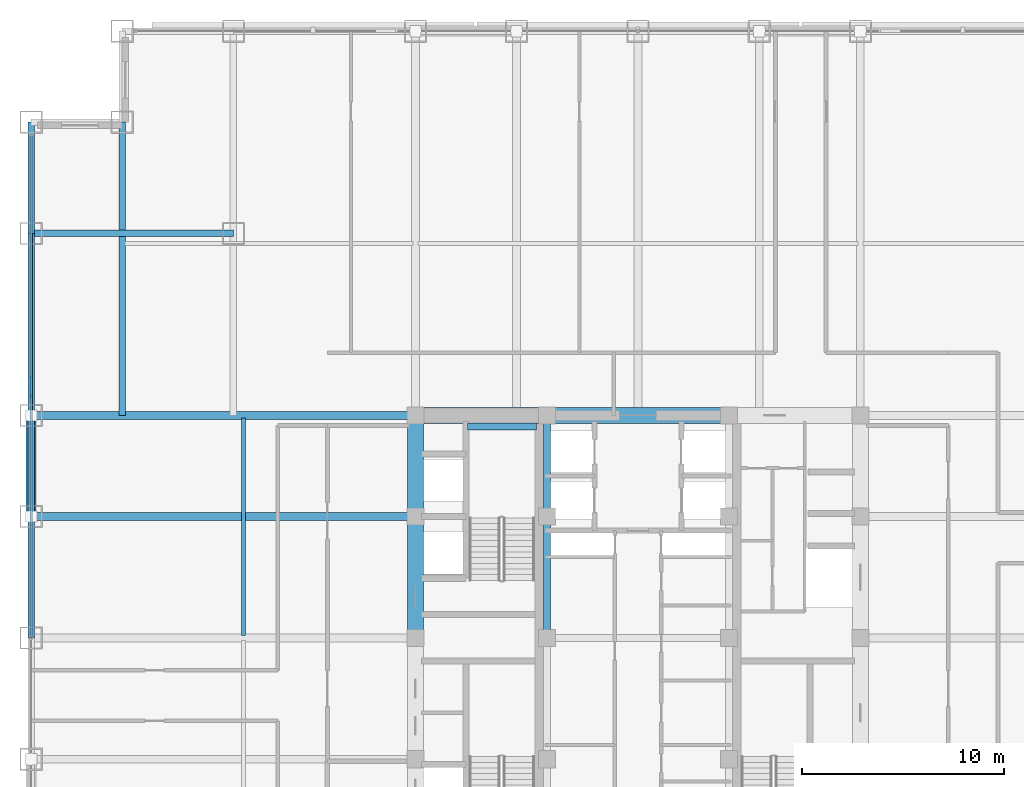
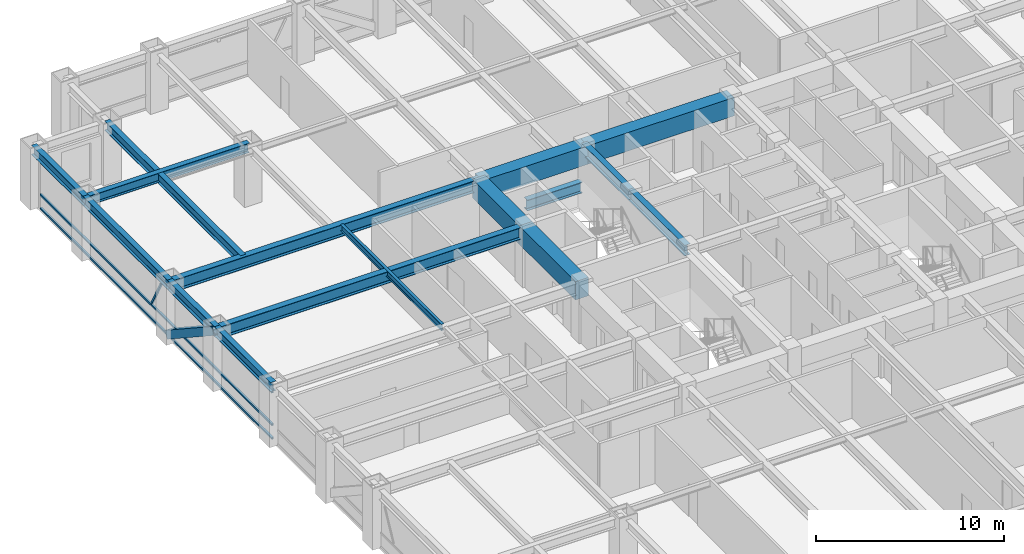
# One storey, part 11 of 28: 16 beams, 5 members, 1 element without a shape of its own.
"""IFC4 building model written with IfcOpenShell, lengths in metres."""

import ifcopenshell
import ifcopenshell.guid

model = None  # the IFC model being written
_history = None  # IfcOwnerHistory: only IFC2X3 demands one
_inside = {}  # id of a spatial element -> (the spatial element, [elements in it])
_under = {}  # id of a project, library or spatial element -> (it, [spatial elements below it])
_declared = {}  # id of a project -> (the project, [libraries it declares])
_typed = {}  # id of a type object -> (the type object, [elements of that type])
_made_of = {}  # id of a material, layer set ... -> (it, [elements and type objects made of it])


def new_model(schema):
    """Start an empty IFC model of exactly this schema.

    Asked for "IFC4X3", IfcOpenShell would pick the latest addendum, in which some entities
    have other attributes; the version numbers below select the first issue.
    IFC2X3 requires an IfcOwnerHistory on every rooted entity: one is made here for all.
    """
    global model, _history
    if schema == "IFC4X3":
        model = ifcopenshell.file(schema_version=(4, 3, 0, 0))
    else:
        model = ifcopenshell.file(schema=schema)
    _inside.clear()
    _under.clear()
    _declared.clear()
    _typed.clear()
    _made_of.clear()
    _history = None
    if model.schema == "IFC2X3":
        org = make("IfcOrganization", Name="unknown")
        user = make(
            "IfcPersonAndOrganization",
            ThePerson=make("IfcPerson", FamilyName="unknown"),
            TheOrganization=org,
        )
        app = make(
            "IfcApplication",
            ApplicationDeveloper=org,
            Version="unknown",
            ApplicationFullName="unknown",
            ApplicationIdentifier="unknown",
        )
        _history = make(
            "IfcOwnerHistory",
            OwningUser=user,
            OwningApplication=app,
            ChangeAction="ADDED",
            CreationDate=0,
        )
    return model


def make(cls, **values):
    """One entity of the class cls with the attributes given. An attribute that is None is left unset."""
    return model.create_entity(
        cls, **{name: value for name, value in values.items() if value is not None}
    )


def rooted(cls, **values):
    """An entity with a GlobalId (a new one), such as an element, a storey or a relation."""
    return make(cls, GlobalId=ifcopenshell.guid.new(), OwnerHistory=_history, **values)


def si_unit(unit_type, name, prefix=None):
    """IfcSIUnit, for example si_unit("LENGTHUNIT", "METRE", prefix="MILLI")."""
    return make("IfcSIUnit", UnitType=unit_type, Prefix=prefix, Name=name)


def assignment(units):
    """IfcUnitAssignment: the units of a project."""
    return None if units is None else make("IfcUnitAssignment", Units=units)


def point(xyz):
    """IfcCartesianPoint."""
    return None if xyz is None else make("IfcCartesianPoint", Coordinates=xyz)


def direction(xyz):
    """IfcDirection."""
    return None if xyz is None else make("IfcDirection", DirectionRatios=xyz)


def frame(location, z_axis=None, x_axis=None):
    """IfcAxis2Placement3D, a coordinate frame: its origin and axes. An axis left out is left unset."""
    return make(
        "IfcAxis2Placement3D",
        Location=point(location),
        Axis=direction(z_axis),
        RefDirection=direction(x_axis),
    )


def frame_2d(location, x_axis=None):
    """IfcAxis2Placement2D, a coordinate frame in the plane: its origin and x axis."""
    return make(
        "IfcAxis2Placement2D", Location=point(location), RefDirection=direction(x_axis)
    )


def origin():
    """The frame at (0, 0, 0) with its axes left unset."""
    return frame((0.0, 0.0, 0.0))


def origin_2d():
    """The frame at (0, 0) in the plane with its x axis left unset."""
    return frame_2d((0.0, 0.0))


def place(relative_to, where):
    """IfcLocalPlacement: puts the frame where relative to a parent placement (None: the world)."""
    return make(
        "IfcLocalPlacement", PlacementRelTo=relative_to, RelativePlacement=where
    )


def context(
    kind, dimensions, precision=None, world=None, true_north=None, identifier=None
):
    """IfcGeometricRepresentationContext, for example the 3D "Model" context."""
    return make(
        "IfcGeometricRepresentationContext",
        ContextIdentifier=identifier,
        ContextType=kind,
        CoordinateSpaceDimension=dimensions,
        Precision=precision,
        WorldCoordinateSystem=world,
        TrueNorth=true_north,
    )


def subcontext(parent, identifier, kind, view, scale=None):
    """IfcGeometricRepresentationSubContext, for example "Body" below "Model"."""
    return make(
        "IfcGeometricRepresentationSubContext",
        ContextIdentifier=identifier,
        ContextType=kind,
        ParentContext=parent,
        TargetScale=scale,
        TargetView=view,
    )


def project(units=None, contexts=None):
    """IfcProject with its units and contexts."""
    return rooted(
        "IfcProject",
        Name="project",
        RepresentationContexts=contexts,
        UnitsInContext=assignment(units),
    )


def spatial(cls, under=None, at=None, **own):
    """A site, building, storey or space (cls), placed at a placement, below another one or the project."""
    s = rooted(cls, ObjectPlacement=at, **own)
    if under is not None:
        _under.setdefault(under.id(), (under, []))[1].append(s)
    return s


def profile(cls, at=None, kind="AREA", **sizes):
    """A parametric profile (cls). Its sizes go by their IFC names, for example OverallWidth=200.0."""
    return make(cls, ProfileType=kind, Position=at, **sizes)


def rectangle(**sizes):
    """IfcRectangleProfileDef."""
    return profile("IfcRectangleProfileDef", **sizes)


def hollow_rectangle(**sizes):
    """IfcRectangleHollowProfileDef."""
    return profile("IfcRectangleHollowProfileDef", **sizes)


def i_section(**sizes):
    """IfcIShapeProfileDef."""
    return profile("IfcIShapeProfileDef", **sizes)


def extrude(swept, where, along, depth):
    """IfcExtrudedAreaSolid: the profile swept, set in the frame where, extruded along a direction by depth."""
    return make(
        "IfcExtrudedAreaSolid",
        SweptArea=swept,
        Position=where,
        ExtrudedDirection=direction(along),
        Depth=depth,
    )


def shape(context_of_items, identifier, shape_type, items):
    """IfcShapeRepresentation: the items that make up one representation, for example the "Body"."""
    return make(
        "IfcShapeRepresentation",
        ContextOfItems=context_of_items,
        RepresentationIdentifier=identifier,
        RepresentationType=shape_type,
        Items=items,
    )


def source(mapping_origin, context_of_items, identifier, shape_type, items):
    """IfcRepresentationMap: a shape defined once, which mapped items show again and again."""
    return make(
        "IfcRepresentationMap",
        MappingOrigin=mapping_origin,
        MappedRepresentation=shape(context_of_items, identifier, shape_type, items),
    )


def transform(
    local_origin,
    x_axis=None,
    y_axis=None,
    z_axis=None,
    scale=None,
    scale2=None,
    scale3=None,
    uniform=True,
):
    """IfcCartesianTransformationOperator3D, or its non-uniform kind. x_axis, y_axis, z_axis: its Axis1, 2, 3."""
    if uniform:
        return make(
            "IfcCartesianTransformationOperator3D",
            Axis1=direction(x_axis),
            Axis2=direction(y_axis),
            LocalOrigin=point(local_origin),
            Scale=scale,
            Axis3=direction(z_axis),
        )
    return make(
        "IfcCartesianTransformationOperator3DnonUniform",
        Axis1=direction(x_axis),
        Axis2=direction(y_axis),
        LocalOrigin=point(local_origin),
        Scale=scale,
        Axis3=direction(z_axis),
        Scale2=scale2,
        Scale3=scale3,
    )


def mapped(mapping_source, mapping_target):
    """IfcMappedItem: shows the shape of a source again, moved by a transform."""
    return make(
        "IfcMappedItem", MappingSource=mapping_source, MappingTarget=mapping_target
    )


def material(Name=None, Category=None):
    """IfcMaterial."""
    return make("IfcMaterial", Name=Name, Category=Category)


def material_profile(
    of_material, cross_section, Name=None, Category=None, Priority=None
):
    """IfcMaterialProfile: a cross section and its material."""
    return make(
        "IfcMaterialProfile",
        Name=Name,
        Material=of_material,
        Profile=cross_section,
        Priority=Priority,
        Category=Category,
    )


def profile_set(profiles, Name=None, composite=None):
    """IfcMaterialProfileSet."""
    return make(
        "IfcMaterialProfileSet",
        Name=Name,
        MaterialProfiles=profiles,
        CompositeProfile=composite,
    )


def made_of(thing, what):
    """Note that an element or type object is made of a material, layer set ...; save() writes the relation."""
    if what is not None:
        _made_of.setdefault(what.id(), (what, []))[1].append(thing)
    return thing


def type_object(cls, material=None, **own):
    """A type object (cls), such as IfcWallType, which elements share."""
    return made_of(rooted(cls, **own), material)


def element(
    cls,
    number,
    at=None,
    inside=None,
    cuts=None,
    type_object=None,
    material=None,
    context=None,
    identifier="Body",
    shape_type=None,
    held_by="IfcProductDefinitionShape",
    body=None,
    shapes=None,
    **own,
):
    """One element of the class cls, such as IfcWall. Its Tag is "e" and its number.

    at: its placement. inside: the storey or other place that contains it. cuts: it is an
    opening in that element (IfcRelVoidsElement). A single representation is given by context,
    identifier, shape_type and body (its items); several are given by shapes. held_by: the class
    of the entity that holds the representations. save() writes the other relations.
    """
    e = rooted(cls, Tag="e%d" % number, ObjectPlacement=at, **own)
    if body is not None:
        shapes = [shape(context, identifier, shape_type, body)]
    if shapes is not None:
        e.Representation = make(held_by, Representations=shapes)
    if inside is not None:
        _inside.setdefault(inside.id(), (inside, []))[1].append(e)
    if cuts is not None:
        rooted(
            "IfcRelVoidsElement", RelatingBuildingElement=cuts, RelatedOpeningElement=e
        )
    if type_object is not None:
        _typed.setdefault(type_object.id(), (type_object, []))[1].append(e)
    return made_of(e, material)


def aggregate(whole, parts):
    """IfcRelAggregates: a whole, such as a stair, and the parts it consists of."""
    return rooted("IfcRelAggregates", RelatingObject=whole, RelatedObjects=parts)


def save(model, path):
    """Write the relations noted so far, then the file.

    IfcRelAggregates (storeys below a building ...), IfcRelContainedInSpatialStructure (elements
    in a storey), IfcRelDefinesByType, IfcRelAssociatesMaterial and IfcRelDeclares: one each for
    every whole, place, type object, material and project.
    """
    for whole, parts in _under.values():
        aggregate(whole, parts)
    for where, things in _inside.values():
        rooted(
            "IfcRelContainedInSpatialStructure",
            RelatedElements=things,
            RelatingStructure=where,
        )
    for kind, things in _typed.values():
        rooted("IfcRelDefinesByType", RelatedObjects=things, RelatingType=kind)
    for what, things in _made_of.values():
        rooted("IfcRelAssociatesMaterial", RelatedObjects=things, RelatingMaterial=what)
    for by, libraries in _declared.values():
        rooted("IfcRelDeclares", RelatingContext=by, RelatedDefinitions=libraries)
    model.write(path)


model = new_model("IFC4")

# Units and contexts
model_context = context("Model", 3, precision=1e-05, world=origin(), true_north=direction((0.0, 1.0)))
body_context = subcontext(model_context, "Body", "Model", "MODEL_VIEW")
ifc_project = project(units=[si_unit("LENGTHUNIT", "METRE"), si_unit("AREAUNIT", "SQUARE_METRE"), si_unit("VOLUMEUNIT", "CUBIC_METRE"), si_unit("PLANEANGLEUNIT", "RADIAN"), si_unit("MASSUNIT", "GRAM", prefix="KILO")], contexts=[model_context])

# Site, building, storey
site_placement = place(None, origin())
site = spatial("IfcSite", under=ifc_project, at=site_placement, CompositionType="ELEMENT")
building_placement = place(site_placement, origin())
building = spatial("IfcBuilding", under=site, at=building_placement, Name="Khorayat Bourse Tower", CompositionType="ELEMENT")
storey_placement = place(building_placement, frame((0.0, 0.0, 183.10009765625)))
storey = spatial("IfcBuildingStorey", under=building, at=storey_placement, Name="L42", CompositionType="ELEMENT", Elevation=183.10009765625)

# Beams
ifc_material_1 = material(Name="Concrete C72/90", Category="concrete")
ifc_material_profile_1 = material_profile(ifc_material_1, rectangle(XDim=0.800048828125, YDim=1.199951171875, at=origin_2d()), Name="RC 800x1200")
ifc_profile_set_1 = profile_set([ifc_material_profile_1], Name="Concrete C72/90")
beam_type_1 = type_object("IfcBeamType", Name="BM-COUP-1200", PredefinedType="BEAM", material=ifc_profile_set_1)
shared_shape_1 = source(origin(), body_context, "Body", "SweptSolid", [
    extrude(rectangle(XDim=0.800048828125, YDim=1.199951171875, at=origin_2d()), origin(), (0.0, 0.0, 1.0), 5.0),
])
beam_1_placement = place(storey_placement, frame((-11.0, 6.0, 3.179931640625), z_axis=(0.0, 1.0, 0.0), x_axis=(-1.0, 0.0, 0.0)))
element("IfcBeam", 1, at=beam_1_placement, inside=storey, type_object=beam_type_1, Name="L42 BM-COUP-1200 BM-L42-CRX-04", PredefinedType="BEAM", context=body_context, shape_type="MappedRepresentation", body=[
    mapped(shared_shape_1, transform((0.0, 0.0, 0.0), scale=1.0)),
])
shared_shape_2 = source(origin(), body_context, "Body", "SweptSolid", [
    extrude(rectangle(XDim=0.800048828125, YDim=1.199951171875, at=origin_2d()), origin(), (0.0, 0.0, 1.0), 6.0),
])
beam_2_placement = place(storey_placement, frame((-11.0, 0.0, 3.179931640625), z_axis=(0.0, 1.0, 0.0), x_axis=(-1.0, 0.0, 0.0)))
element("IfcBeam", 2, at=beam_2_placement, inside=storey, type_object=beam_type_1, Name="L42 BM-COUP-1200 BM-L42-CRX-03", PredefinedType="BEAM", context=body_context, shape_type="MappedRepresentation", body=[
    mapped(shared_shape_2, transform((0.0, 0.0, 0.0), scale=1.0)),
])
ifc_material_2 = material(Name="Steel ASTM A992 Grade 50", Category="steel")
ifc_material_profile_2 = material_profile(ifc_material_2, i_section(OverallWidth=0.35498046875, OverallDepth=0.695068359375, WebThickness=0.015380859375, FlangeThickness=0.02490234375, FilletRadius=0.01806640625, at=origin_2d()), Name="W690X217")
ifc_profile_set_2 = profile_set([ifc_material_profile_2], Name="Steel ASTM A992 Grade 50")
beam_type_2 = type_object("IfcBeamType", Name="BM-GIRD-690", PredefinedType="BEAM", material=ifc_profile_set_2)
shared_shape_3 = source(origin(), body_context, "Body", "SweptSolid", [
    extrude(i_section(OverallWidth=0.35498046875, OverallDepth=0.695068359375, WebThickness=0.015380859375, FlangeThickness=0.02490234375, FilletRadius=0.01806640625, at=origin_2d()), origin(), (0.0, 0.0, 1.0), 5.0),
])
beam_3_placement = place(storey_placement, frame((-4.5, 6.0, 3.432373046875), z_axis=(0.0, 1.0, 0.0), x_axis=(-1.0, 0.0, 0.0)))
element("IfcBeam", 3, at=beam_3_placement, inside=storey, type_object=beam_type_2, Name="L42 BM-GIRD-690 BM-L42-CRX-08", PredefinedType="BEAM", context=body_context, shape_type="MappedRepresentation", body=[
    mapped(shared_shape_3, transform((0.0, 0.0, 0.0), scale=1.0)),
])
shared_shape_4 = source(origin(), body_context, "Body", "SweptSolid", [
    extrude(i_section(OverallWidth=0.35498046875, OverallDepth=0.695068359375, WebThickness=0.015380859375, FlangeThickness=0.02490234375, FilletRadius=0.01806640625, at=origin_2d()), origin(), (0.0, 0.0, 1.0), 6.0),
])
beam_4_placement = place(storey_placement, frame((-4.5, 0.0, 3.432373046875), z_axis=(0.0, 1.0, 0.0), x_axis=(-1.0, 0.0, 0.0)))
element("IfcBeam", 4, at=beam_4_placement, inside=storey, type_object=beam_type_2, Name="L42 BM-GIRD-690 BM-L42-CRX-07", PredefinedType="BEAM", context=body_context, shape_type="MappedRepresentation", body=[
    mapped(shared_shape_4, transform((0.0, 0.0, 0.0), scale=1.0)),
])
shared_shape_5 = source(origin(), body_context, "Body", "SweptSolid", [
    extrude(rectangle(XDim=0.800048828125, YDim=1.199951171875, at=origin_2d()), origin(), (0.0, 0.0, 1.0), 6.5),
])
beam_5_placement = place(storey_placement, frame((-11.0, 11.0, 3.179931640625), z_axis=(1.0, 0.0, 0.0), x_axis=(0.0, 1.0, 0.0)))
element("IfcBeam", 5, at=beam_5_placement, inside=storey, type_object=beam_type_1, Name="L42 BM-COUP-1200 BM-L42-CRY-20", PredefinedType="BEAM", context=body_context, shape_type="MappedRepresentation", body=[
    mapped(shared_shape_5, transform((0.0, 0.0, 0.0), scale=1.0)),
])
shared_shape_6 = source(origin(), body_context, "Body", "SweptSolid", [
    extrude(rectangle(XDim=0.800048828125, YDim=1.199951171875, at=origin_2d()), origin(), (0.0, 0.0, 1.0), 9.0),
])
beam_6_placement = place(storey_placement, frame((-4.5, 11.0, 3.179931640625), z_axis=(1.0, 0.0, 0.0), x_axis=(0.0, 1.0, 0.0)))
element("IfcBeam", 6, at=beam_6_placement, inside=storey, type_object=beam_type_1, Name="L42 BM-COUP-1200 BM-L42-CRY-21", PredefinedType="BEAM", context=body_context, shape_type="MappedRepresentation", body=[
    mapped(shared_shape_6, transform((0.0, 0.0, 0.0), scale=1.0)),
])
shared_shape_7 = source(origin(), body_context, "Body", "SweptSolid", [
    extrude(i_section(OverallWidth=0.35498046875, OverallDepth=0.695068359375, WebThickness=0.015380859375, FlangeThickness=0.02490234375, FilletRadius=0.01806640625, at=origin_2d()), origin(), (0.0, 0.0, 1.0), 3.39990234375),
])
beam_7_placement = place(storey_placement, frame((-8.419921875, 10.449951171875, 1.452392578125), z_axis=(1.0, 0.0, 0.0), x_axis=(0.0, 1.0, 0.0)))
element("IfcBeam", 7, at=beam_7_placement, inside=storey, type_object=beam_type_2, Name="L42 BM-GIRD-690 BM-L42-ST2L", PredefinedType="BEAM", context=body_context, shape_type="MappedRepresentation", body=[
    mapped(shared_shape_7, transform((0.0, 0.0, 0.0), scale=1.0)),
])
ifc_material_profile_3 = material_profile(ifc_material_2, i_section(OverallWidth=0.381103515625, OverallDepth=0.77294921875, WebThickness=0.0166015625, FlangeThickness=0.027587890625, FilletRadius=0.01806640625, at=origin_2d()), Name="W760X257")
ifc_profile_set_3 = profile_set([ifc_material_profile_3], Name="Steel ASTM A992 Grade 50")
beam_type_3 = type_object("IfcBeamType", Name="BM-GIRD-760", PredefinedType="BEAM", material=ifc_profile_set_3)
shared_shape_8 = source(origin(), body_context, "Body", "SweptSolid", [
    extrude(i_section(OverallWidth=0.381103515625, OverallDepth=0.77294921875, WebThickness=0.0166015625, FlangeThickness=0.027587890625, FilletRadius=0.01806640625, at=origin_2d()), origin(), (0.0, 0.0, 1.0), 19.0),
])
for number, where, z_axis, x_axis, name in (
    (8, (-30.0, 6.0, 3.393310546875), (1.0, 0.0, 0.0), (0.0, 1.0, 0.0), "L42 BM-GIRD-760 BM-L42-RADX-081"),
    (9, (-30.0, 11.0, 3.393310546875), (1.0, 0.0, 0.0), (0.0, 1.0, 0.0), "L42 BM-GIRD-760 BM-L42-RADX-083"),
):
    element("IfcBeam", number, at=place(storey_placement, frame(where, z_axis=z_axis, x_axis=x_axis)), inside=storey, type_object=beam_type_3, Name=name, PredefinedType="BEAM", context=body_context, shape_type="MappedRepresentation", body=[
        mapped(shared_shape_8, transform((0.0, 0.0, 0.0), scale=1.0)),
    ])
ifc_material_profile_4 = material_profile(ifc_material_2, i_section(OverallWidth=0.324951171875, OverallDepth=0.615966796875, WebThickness=0.013916015625, FlangeThickness=0.021484375, FilletRadius=0.01611328125, at=origin_2d()), Name="W610X174")
ifc_profile_set_4 = profile_set([ifc_material_profile_4], Name="Steel ASTM A992 Grade 50")
beam_type_4 = type_object("IfcBeamType", Name="BM-GIRD-610", PredefinedType="BEAM", material=ifc_profile_set_4)
shared_shape_9 = source(origin(), body_context, "Body", "SweptSolid", [
    extrude(i_section(OverallWidth=0.324951171875, OverallDepth=0.615966796875, WebThickness=0.013916015625, FlangeThickness=0.021484375, FilletRadius=0.01611328125, at=origin_2d()), origin(), (0.0, 0.0, 1.0), 14.5),
])
beam_8_placement = place(storey_placement, frame((-25.5, 11.0, 3.471923828125), z_axis=(0.0, 1.0, 0.0), x_axis=(-1.0, 0.0, 0.0)))
element("IfcBeam", 10, at=beam_8_placement, inside=storey, type_object=beam_type_4, Name="L42 BM-GIRD-610 BM-L42-CNRY-089", PredefinedType="BEAM", context=body_context, shape_type="MappedRepresentation", body=[
    mapped(shared_shape_9, transform((0.0, 0.0, 0.0), scale=1.0)),
])
shared_shape_10 = source(origin(), body_context, "Body", "SweptSolid", [
    extrude(i_section(OverallWidth=0.324951171875, OverallDepth=0.615966796875, WebThickness=0.013916015625, FlangeThickness=0.021484375, FilletRadius=0.01611328125, at=origin_2d()), origin(), (0.0, 0.0, 1.0), 10.0),
])
beam_9_placement = place(storey_placement, frame((-30.0, 20.0, 3.471923828125), z_axis=(1.0, 0.0, 0.0), x_axis=(0.0, 1.0, 0.0)))
element("IfcBeam", 11, at=beam_9_placement, inside=storey, type_object=beam_type_4, Name="L42 BM-GIRD-610 BM-L42-CNRX-095", PredefinedType="BEAM", context=body_context, shape_type="MappedRepresentation", body=[
    mapped(shared_shape_10, transform((0.0, 0.0, 0.0), scale=1.0)),
])
ifc_material_profile_5 = material_profile(ifc_material_2, i_section(OverallWidth=0.180908203125, OverallDepth=0.4169921875, WebThickness=0.010986328125, FlangeThickness=0.018310546875, FilletRadius=0.011962890625, at=origin_2d()), Name="W410X85")
ifc_profile_set_5 = profile_set([ifc_material_profile_5], Name="Steel ASTM A992 Grade 50")
beam_type_5 = type_object("IfcBeamType", Name="BM-JOIST-410", PredefinedType="JOIST", material=ifc_profile_set_5)
shared_shape_11 = source(origin(), body_context, "Body", "SweptSolid", [
    extrude(i_section(OverallWidth=0.180908203125, OverallDepth=0.4169921875, WebThickness=0.010986328125, FlangeThickness=0.018310546875, FilletRadius=0.011962890625, at=origin_2d()), origin(), (0.0, 0.0, 1.0), 10.740234375),
])
beam_10_placement = place(storey_placement, frame((-19.5, 0.1298828125, 3.5712890625), z_axis=(0.0, 1.0, 0.0), x_axis=(-1.0, 0.0, 0.0)))
element("IfcBeam", 12, at=beam_10_placement, inside=storey, type_object=beam_type_5, Name="L42 BM-JOIST-410 BM-L42-JSTY-103", PredefinedType="JOIST", context=body_context, shape_type="MappedRepresentation", body=[
    mapped(shared_shape_11, transform((0.0, 0.0, 0.0), scale=1.0)),
])
ifc_material_profile_6 = material_profile(ifc_material_2, i_section(OverallWidth=0.324951171875, OverallDepth=0.615966796875, WebThickness=0.013916015625, FlangeThickness=0.021484375, FilletRadius=0.01611328125, at=origin_2d()), Name="W610X174")
ifc_profile_set_6 = profile_set([ifc_material_profile_6], Name="Steel ASTM A992 Grade 50")
beam_type_6 = type_object("IfcBeamType", Name="BM-SPAN-610", PredefinedType="SPANDREL", material=ifc_profile_set_6)
shared_shape_12 = source(origin(), body_context, "Body", "SweptSolid", [
    extrude(i_section(OverallWidth=0.324951171875, OverallDepth=0.615966796875, WebThickness=0.013916015625, FlangeThickness=0.021484375, FilletRadius=0.01611328125, at=origin_2d()), origin(), (0.0, 0.0, 1.0), 5.5),
])
beam_11_placement = place(storey_placement, frame((-30.0, 20.0, 3.471923828125), z_axis=(0.0, 1.0, 0.0), x_axis=(-1.0, 0.0, 0.0)))
element("IfcBeam", 13, at=beam_11_placement, inside=storey, type_object=beam_type_6, Name="L42 BM-SPAN-610 BM-L42-SPN-054", PredefinedType="SPANDREL", context=body_context, shape_type="MappedRepresentation", body=[
    mapped(shared_shape_12, transform((0.0, 0.0, 0.0), scale=1.0)),
])
shared_shape_13 = source(origin(), body_context, "Body", "SweptSolid", [
    extrude(i_section(OverallWidth=0.324951171875, OverallDepth=0.615966796875, WebThickness=0.013916015625, FlangeThickness=0.021484375, FilletRadius=0.01611328125, at=origin_2d()), origin(), (0.0, 0.0, 1.0), 9.0),
])
beam_12_placement = place(storey_placement, frame((-30.0, 11.0, 3.471923828125), z_axis=(0.0, 1.0, 0.0), x_axis=(-1.0, 0.0, 0.0)))
element("IfcBeam", 14, at=beam_12_placement, inside=storey, type_object=beam_type_6, Name="L42 BM-SPAN-610 BM-L42-SPN-055", PredefinedType="SPANDREL", context=body_context, shape_type="MappedRepresentation", body=[
    mapped(shared_shape_13, transform((0.0, 0.0, 0.0), scale=1.0)),
])
shared_shape_14 = source(origin(), body_context, "Body", "SweptSolid", [
    extrude(i_section(OverallWidth=0.324951171875, OverallDepth=0.615966796875, WebThickness=0.013916015625, FlangeThickness=0.021484375, FilletRadius=0.01611328125, at=origin_2d()), origin(), (0.0, 0.0, 1.0), 5.0),
])
beam_13_placement = place(storey_placement, frame((-30.0, 6.0, 3.471923828125), z_axis=(0.0, 1.0, 0.0), x_axis=(-1.0, 0.0, 0.0)))
element("IfcBeam", 15, at=beam_13_placement, inside=storey, type_object=beam_type_6, Name="L42 BM-SPAN-610 BM-L42-SPN-056", PredefinedType="SPANDREL", context=body_context, shape_type="MappedRepresentation", body=[
    mapped(shared_shape_14, transform((0.0, 0.0, 0.0), scale=1.0)),
])
shared_shape_15 = source(origin(), body_context, "Body", "SweptSolid", [
    extrude(i_section(OverallWidth=0.324951171875, OverallDepth=0.615966796875, WebThickness=0.013916015625, FlangeThickness=0.021484375, FilletRadius=0.01611328125, at=origin_2d()), origin(), (0.0, 0.0, 1.0), 6.0),
])
beam_14_placement = place(storey_placement, frame((-30.0, 0.0, 3.471923828125), z_axis=(0.0, 1.0, 0.0), x_axis=(-1.0, 0.0, 0.0)))
element("IfcBeam", 16, at=beam_14_placement, inside=storey, type_object=beam_type_6, Name="L42 BM-SPAN-610 BM-L42-SPN-057", PredefinedType="SPANDREL", context=body_context, shape_type="MappedRepresentation", body=[
    mapped(shared_shape_15, transform((0.0, 0.0, 0.0), scale=1.0)),
])

# Member
ifc_material_3 = material(Name="Steel EN 10025-4 S460M", Category="steel")
ifc_material_profile_7 = material_profile(ifc_material_3, hollow_rectangle(XDim=0.5, YDim=0.5, WallThickness=0.028076171875, at=origin_2d()), Name="HSS 500x500x28")
ifc_profile_set_7 = profile_set([ifc_material_profile_7], Name="Steel EN 10025-4 S460M")
member_type_1 = type_object("IfcMemberType", Name="MBR-TUBE-500", PredefinedType="BRACE", material=ifc_profile_set_7)
shared_shape_16 = source(origin(), body_context, "Body", "SweptSolid", [
    extrude(hollow_rectangle(XDim=0.5, YDim=0.5, WallThickness=0.028076171875, at=origin_2d()), origin(), (0.0, 0.0, 1.0), 5.979736328125),
])
member_1_placement = place(storey_placement, frame((-30.0, 6.0, 3.52978515625), z_axis=(0.0, 0.836160261256, -0.548485202623), x_axis=(-1.0, 0.0, 0.0)))
element("IfcMember", 17, at=member_1_placement, inside=storey, type_object=member_type_1, Name="L42 Perimeter Tube Brace 06", PredefinedType="BRACE", context=body_context, shape_type="MappedRepresentation", body=[
    mapped(shared_shape_16, transform((0.0, 0.0, 0.0), scale=1.0)),
])

# Curtain wall, members
ifc_material_4 = material(Name="Aluminium EN AW-6063 T6", Category="aluminium")
curtain_wall_type = type_object("IfcCurtainWallType", Name="CW-SYS-03", PredefinedType="NOTDEFINED", material=ifc_material_4)
curtain_wall_placement = place(storey_placement, origin())
curtain_wall = element("IfcCurtainWall", 18, at=curtain_wall_placement, inside=storey, type_object=curtain_wall_type, Name="L42 Curtain Wall CW-L42-W1", PredefinedType="NOTDEFINED")
ifc_material_profile_8 = material_profile(ifc_material_4, hollow_rectangle(XDim=0.1201171875, YDim=0.1201171875, WallThickness=0.0048828125, at=origin_2d()), Name="ALU 120x120x5")
ifc_profile_set_8 = profile_set([ifc_material_profile_8], Name="Aluminium EN AW-6063 T6")
member_type_2 = type_object("IfcMemberType", Name="CWM-DIAG-120", PredefinedType="MULLION", material=ifc_profile_set_8)
shared_shape_17 = source(origin(), body_context, "Body", "SweptSolid", [
    extrude(hollow_rectangle(XDim=0.1201171875, YDim=0.1201171875, WallThickness=0.0048828125, at=origin_2d()), origin(), (0.0, 0.0, 1.0), 2.079345703125),
])
member_2_placement = place(storey_placement, frame((-30.0, 12.904296875, 1.08984375), z_axis=(0.0, -0.465760949701, 0.884910581773), x_axis=(1.0, 0.0, 0.0)))
member_2 = element("IfcMember", 19, at=member_2_placement, type_object=member_type_2, Name="CW-L42-W1 Faceted Diagonal Mullion 2", PredefinedType="MULLION", context=body_context, shape_type="MappedRepresentation", body=[
    mapped(shared_shape_17, transform((0.0, 0.0, 0.0), scale=1.0)),
])
ifc_material_profile_9 = material_profile(ifc_material_4, hollow_rectangle(XDim=0.1201171875, YDim=0.1201171875, WallThickness=0.0048828125, at=origin_2d()), Name="ALU 120x120x5")
ifc_profile_set_9 = profile_set([ifc_material_profile_9], Name="Aluminium EN AW-6063 T6")
member_type_3 = type_object("IfcMemberType", Name="CWT-HORZ-120", PredefinedType="USERDEFINED", material=ifc_profile_set_9)
shared_shape_18 = source(origin(), body_context, "Body", "SweptSolid", [
    extrude(hollow_rectangle(XDim=0.1201171875, YDim=0.1201171875, WallThickness=0.0048828125, at=origin_2d()), origin(), (0.0, 0.0, 1.0), 24.719970703125),
])
member_3_placement = place(storey_placement, frame((-30.0, 0.06005859375, 0.059814453125), z_axis=(0.0, 1.0, 0.0), x_axis=(-1.0, 0.0, 0.0)))
member_3 = element("IfcMember", 20, at=member_3_placement, type_object=member_type_3, Name="CW-L42-W1 Horizontal Transom 2-1", ObjectType="TRANSOM", PredefinedType="USERDEFINED", context=body_context, shape_type="MappedRepresentation", body=[
    mapped(shared_shape_18, transform((0.0, 0.0, 0.0), scale=1.0)),
])
member_4_placement = place(storey_placement, frame((-30.0, 0.06005859375, 0.949951171875), z_axis=(0.0, 1.0, 0.0), x_axis=(-1.0, 0.0, 0.0)))
member_4 = element("IfcMember", 21, at=member_4_placement, type_object=member_type_3, Name="CW-L42-W1 Horizontal Transom 2-2", ObjectType="TRANSOM", PredefinedType="USERDEFINED", context=body_context, shape_type="MappedRepresentation", body=[
    mapped(shared_shape_18, transform((0.0, 0.0, 0.0), scale=1.0)),
])
member_5_placement = place(storey_placement, frame((-30.0, 0.06005859375, 3.06982421875), z_axis=(0.0, 1.0, 0.0), x_axis=(-1.0, 0.0, 0.0)))
member_5 = element("IfcMember", 22, at=member_5_placement, type_object=member_type_3, Name="CW-L42-W1 Horizontal Transom 2-3", ObjectType="TRANSOM", PredefinedType="USERDEFINED", context=body_context, shape_type="MappedRepresentation", body=[
    mapped(shared_shape_18, transform((0.0, 0.0, 0.0), scale=1.0)),
])
aggregate(curtain_wall, [member_3, member_4, member_5, member_2])

save(model, "model.ifc")
